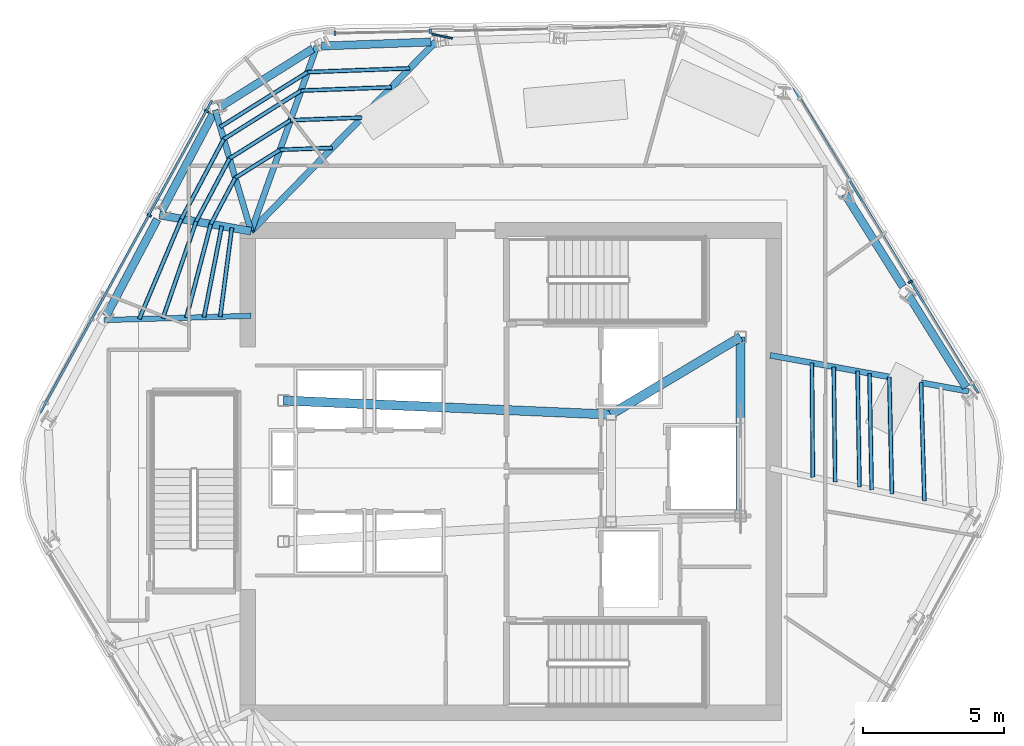
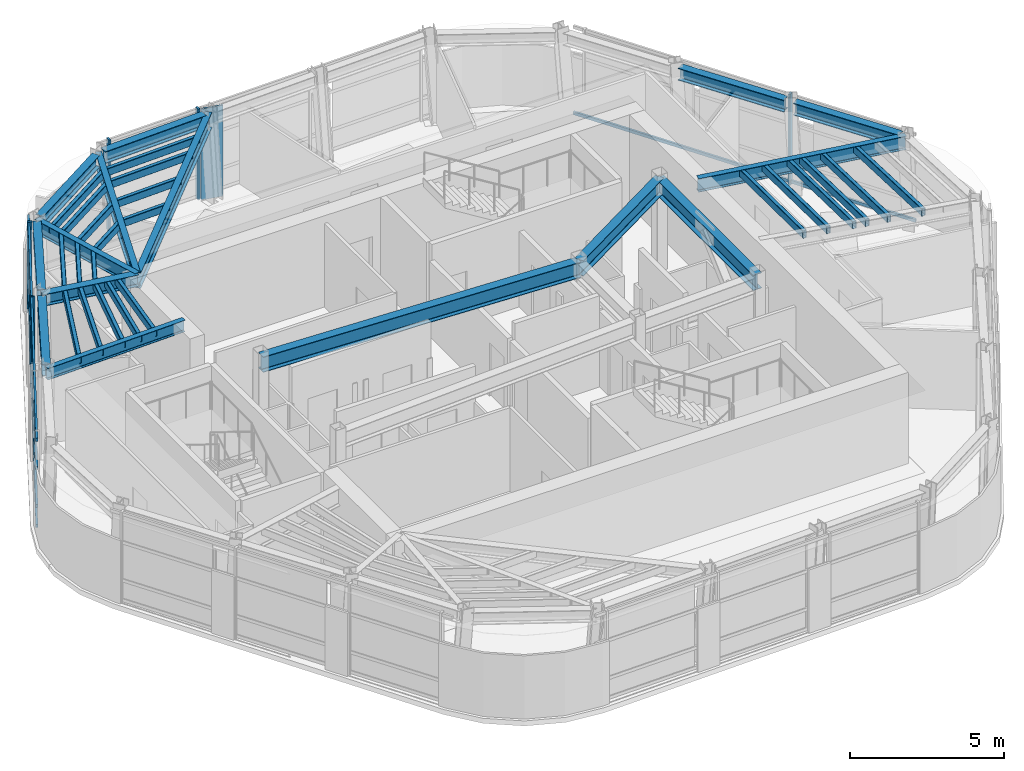
# One storey, part 4 of 13: 33 members, 15 beams, 3 elements without a shape of their own.
"""IFC4 building model written with IfcOpenShell, lengths in metres."""

from ifc_helpers import new_model, si_unit, direction, frame, origin, origin_2d, place, context, subcontext, project, spatial, rectangle, hollow_rectangle, i_section, extrude, material, layer, layer_set, material_profile, profile_set, type_object, element, aggregate, save


model = new_model("IFC4")

# Units and contexts
model_context = context("Model", 3, precision=1e-05, world=origin(), true_north=direction((0.0, 1.0)))
body_context = subcontext(model_context, "Body", "Model", "MODEL_VIEW")
ifc_project = project(units=[si_unit("LENGTHUNIT", "METRE"), si_unit("AREAUNIT", "SQUARE_METRE"), si_unit("VOLUMEUNIT", "CUBIC_METRE"), si_unit("PLANEANGLEUNIT", "RADIAN"), si_unit("MASSUNIT", "GRAM", prefix="KILO")], contexts=[model_context])

# Site, building, storey
site_placement = place(None, origin())
site = spatial("IfcSite", under=ifc_project, at=site_placement, CompositionType="ELEMENT")
building_placement = place(site_placement, origin())
building = spatial("IfcBuilding", under=site, at=building_placement, Name="Valkerne Bourse Tower", CompositionType="ELEMENT")
storey_placement = place(building_placement, frame((0.0, 0.0, 288.800048828125)))
storey = spatial("IfcBuildingStorey", under=building, at=storey_placement, Name="L73", CompositionType="ELEMENT", Elevation=288.800048828125)

# Beams
ifc_material_1 = material(Name="Steel ASTM A992", Category="steel")
ifc_material_profile_1 = material_profile(ifc_material_1, i_section(OverallWidth=0.284423828125, OverallDepth=0.47509765625, WebThickness=0.014892578125, FlangeThickness=0.02392578125, FilletRadius=0.017822265625, at=origin_2d()), Name="W18X106")
ifc_profile_set_1 = profile_set([ifc_material_profile_1], Name="Steel ASTM A992")
beam_type_1 = type_object("IfcBeamType", Name="BM-W18X106", PredefinedType="BEAM", material=ifc_profile_set_1)
beam_1_placement = place(storey_placement, frame((43.968505859375, 42.105224609375, 3.362548828125), z_axis=(-0.999326444653, -0.036696825717, 0.0), x_axis=(0.036696825717, -0.999326444653, 0.0)))
element("IfcBeam", 1, at=beam_1_placement, inside=storey, type_object=beam_type_1, Name="L73 Hexagonal Spandrel Ring Beam 02", PredefinedType="BEAM", context=body_context, shape_type="SweptSolid", body=[
    extrude(i_section(OverallWidth=0.284423828125, OverallDepth=0.47509765625, WebThickness=0.014892578125, FlangeThickness=0.02392578125, FilletRadius=0.017822265625, at=origin_2d()), origin(), (0.0, 0.0, 1.0), 3.8720703125),
])
beam_2_placement = place(storey_placement, frame((39.785400390625, 41.86669921875, 3.362548828125), z_axis=(-0.847124981548, -0.531393701165, 0.0), x_axis=(0.531393701165, -0.847124981548, 0.0)))
element("IfcBeam", 2, at=beam_2_placement, inside=storey, type_object=beam_type_1, Name="L73 Hexagonal Spandrel Ring Beam 03", PredefinedType="BEAM", context=body_context, shape_type="SweptSolid", body=[
    extrude(i_section(OverallWidth=0.284423828125, OverallDepth=0.47509765625, WebThickness=0.014892578125, FlangeThickness=0.02392578125, FilletRadius=0.017822265625, at=origin_2d()), origin(), (0.0, 0.0, 1.0), 3.915771484375),
])
for number, where, z_axis, x_axis, name in (
    (3, (36.24462890625, 39.54541015625, 3.362548828125), (-0.467899308077, -0.883781781608, 0.0), (0.883781781608, -0.467899308077, 0.0), "L73 Hexagonal Spandrel Ring Beam 04"),
    (4, (34.273681640625, 35.822998046875, 3.362548828125), (-0.467899308077, -0.883781781608, 0.0), (0.883781781608, -0.467899308077, 0.0), "L73 Hexagonal Spandrel Ring Beam 05"),
):
    element("IfcBeam", number, at=place(storey_placement, frame(where, z_axis=z_axis, x_axis=x_axis)), inside=storey, type_object=beam_type_1, Name=name, PredefinedType="BEAM", context=body_context, shape_type="SweptSolid", body=[
        extrude(i_section(OverallWidth=0.284423828125, OverallDepth=0.47509765625, WebThickness=0.014892578125, FlangeThickness=0.02392578125, FilletRadius=0.017822265625, at=origin_2d()), origin(), (0.0, 0.0, 1.0), 3.8720703125),
    ])
beam_3_placement = place(storey_placement, frame((62.9423828125, 29.868408203125, 3.362548828125), z_axis=(-0.531426317684, 0.847104520631, 0.0), x_axis=(-0.847104520631, -0.531426317684, 0.0)))
element("IfcBeam", 5, at=beam_3_placement, inside=storey, type_object=beam_type_1, Name="L73 Hexagonal Spandrel Ring Beam 20", PredefinedType="BEAM", context=body_context, shape_type="SweptSolid", body=[
    extrude(i_section(OverallWidth=0.284423828125, OverallDepth=0.47509765625, WebThickness=0.014892578125, FlangeThickness=0.02392578125, FilletRadius=0.017822265625, at=origin_2d()), origin(), (0.0, 0.0, 1.0), 3.872314453125),
])
beam_4_placement = place(storey_placement, frame((60.7041015625, 33.4365234375, 3.362548828125), z_axis=(-0.531409456461, 0.847115098191, 0.0), x_axis=(-0.847115098191, -0.531409456461, 0.0)))
element("IfcBeam", 6, at=beam_4_placement, inside=storey, type_object=beam_type_1, Name="L73 Hexagonal Spandrel Ring Beam 21", PredefinedType="BEAM", context=body_context, shape_type="SweptSolid", body=[
    extrude(i_section(OverallWidth=0.284423828125, OverallDepth=0.47509765625, WebThickness=0.014892578125, FlangeThickness=0.02392578125, FilletRadius=0.017822265625, at=origin_2d()), origin(), (0.0, 0.0, 1.0), 3.8720703125),
])
ifc_material_profile_2 = material_profile(ifc_material_1, i_section(OverallWidth=0.1904296875, OverallDepth=0.457275390625, WebThickness=0.009033203125, FlangeThickness=0.014404296875, FilletRadius=0.01513671875, at=origin_2d()), Name="W18X50")
ifc_profile_set_2 = profile_set([ifc_material_profile_2], Name="Steel ASTM A992")
beam_type_2 = type_object("IfcBeamType", Name="BM-W18X50", PredefinedType="JOIST", material=ifc_profile_set_2)
beam_5_placement = place(storey_placement, frame((32.38232421875, 32.250732421875, 3.371337890625), z_axis=(0.999591590369, 0.028577131841, 0.0), x_axis=(-0.028577131841, 0.999591590369, 0.0)))
element("IfcBeam", 7, at=beam_5_placement, inside=storey, type_object=beam_type_2, Name="L73 Radial Composite Floor Beam 06", PredefinedType="JOIST", context=body_context, shape_type="SweptSolid", body=[
    extrude(i_section(OverallWidth=0.1904296875, OverallDepth=0.457275390625, WebThickness=0.009033203125, FlangeThickness=0.014404296875, FilletRadius=0.01513671875, at=origin_2d()), origin(), (0.0, 0.0, 1.0), 5.219970703125),
])
ifc_material_profile_3 = material_profile(ifc_material_1, i_section(OverallWidth=0.279296875, OverallDepth=0.46240234375, WebThickness=0.0107421875, FlangeThickness=0.017333984375, FilletRadius=0.017822265625, at=origin_2d()), Name="W18X76")
ifc_profile_set_3 = profile_set([ifc_material_profile_3], Name="Steel ASTM A992")
beam_type_3 = type_object("IfcBeamType", Name="BM-W18X76", PredefinedType="BEAM", material=ifc_profile_set_3)
beam_6_placement = place(storey_placement, frame((34.353271484375, 35.97314453125, 3.36865234375), z_axis=(0.984769391931, -0.173865593823, 0.0), x_axis=(0.173865593823, 0.984769391931, 0.0)))
element("IfcBeam", 8, at=beam_6_placement, inside=storey, type_object=beam_type_3, Name="L73 Radial Composite Floor Beam 05", PredefinedType="BEAM", context=body_context, shape_type="SweptSolid", body=[
    extrude(i_section(OverallWidth=0.279296875, OverallDepth=0.46240234375, WebThickness=0.0107421875, FlangeThickness=0.017333984375, FilletRadius=0.017822265625, at=origin_2d()), origin(), (0.0, 0.0, 1.0), 3.297119140625),
])
ifc_material_profile_4 = material_profile(ifc_material_1, i_section(OverallWidth=0.209228515625, OverallDepth=0.533447265625, WebThickness=0.01025390625, FlangeThickness=0.015625, FilletRadius=0.017822265625, at=origin_2d()), Name="W21X62")
ifc_profile_set_4 = profile_set([ifc_material_profile_4], Name="Steel ASTM A992")
beam_type_4 = type_object("IfcBeamType", Name="BM-W21X62", PredefinedType="JOIST", material=ifc_profile_set_4)
beam_7_placement = place(storey_placement, frame((36.32421875, 39.695556640625, 3.333251953125), z_axis=(0.284722676503, -0.958609929786, 0.0), x_axis=(0.958609929786, 0.284722676503, 0.0)))
element("IfcBeam", 9, at=beam_7_placement, inside=storey, type_object=beam_type_4, Name="L73 Radial Composite Floor Beam 04", PredefinedType="JOIST", context=body_context, shape_type="SweptSolid", body=[
    extrude(i_section(OverallWidth=0.209228515625, OverallDepth=0.533447265625, WebThickness=0.01025390625, FlangeThickness=0.015625, FilletRadius=0.017822265625, at=origin_2d()), origin(), (0.0, 0.0, 1.0), 4.481201171875),
])
beam_8_placement = place(storey_placement, frame((63.03271484375, 29.724609375, 3.333251953125), z_axis=(-0.983950695284, 0.178440548225, 0.0), x_axis=(-0.178440548225, -0.983950695284, 0.0)))
element("IfcBeam", 10, at=beam_8_placement, inside=storey, type_object=beam_type_4, Name="L73 Radial Composite Floor Beam 20", PredefinedType="JOIST", context=body_context, shape_type="SweptSolid", body=[
    extrude(i_section(OverallWidth=0.209228515625, OverallDepth=0.533447265625, WebThickness=0.01025390625, FlangeThickness=0.015625, FilletRadius=0.017822265625, at=origin_2d()), origin(), (0.0, 0.0, 1.0), 7.1474609375),
])
ifc_material_profile_5 = material_profile(ifc_material_1, i_section(OverallWidth=0.2138671875, OverallDepth=0.548583984375, WebThickness=0.0146484375, FlangeThickness=0.023681640625, FilletRadius=0.017822265625, at=origin_2d()), Name="W21X93")
ifc_profile_set_5 = profile_set([ifc_material_profile_5], Name="Steel ASTM A992")
beam_type_5 = type_object("IfcBeamType", Name="BM-W21X93", PredefinedType="BEAM", material=ifc_profile_set_5)
beam_9_placement = place(storey_placement, frame((39.92919921875, 41.95703125, 3.32568359375), z_axis=(-0.334713402892, -0.942319976401, 0.0), x_axis=(0.942319976401, -0.334713402892, 0.0)))
element("IfcBeam", 11, at=beam_9_placement, inside=storey, type_object=beam_type_5, Name="L73 Radial Composite Floor Beam 03", PredefinedType="BEAM", context=body_context, shape_type="SweptSolid", body=[
    extrude(i_section(OverallWidth=0.2138671875, OverallDepth=0.548583984375, WebThickness=0.0146484375, FlangeThickness=0.023681640625, FilletRadius=0.017822265625, at=origin_2d()), origin(), (0.0, 0.0, 1.0), 6.95849609375),
])
ifc_material_profile_6 = material_profile(ifc_material_1, i_section(OverallWidth=0.3251953125, OverallDepth=0.612060546875, WebThickness=0.0126953125, FlangeThickness=0.01904296875, FilletRadius=0.020263671875, at=origin_2d()), Name="W24X104")
ifc_profile_set_6 = profile_set([ifc_material_profile_6], Name="Steel ASTM A992")
beam_type_6 = type_object("IfcBeamType", Name="BM-W24X104", PredefinedType="BEAM", material=ifc_profile_set_6)
beam_10_placement = place(storey_placement, frame((50.35009765625, 28.89990234375, 3.2939453125), z_axis=(0.858307823492, 0.513135148019, 0.0), x_axis=(-0.513135148019, 0.858307823492, 0.0)))
element("IfcBeam", 12, at=beam_10_placement, inside=storey, type_object=beam_type_6, Name="L73 Core Frame Girder CG-NE", PredefinedType="BEAM", context=body_context, shape_type="SweptSolid", body=[
    extrude(i_section(OverallWidth=0.3251953125, OverallDepth=0.612060546875, WebThickness=0.0126953125, FlangeThickness=0.01904296875, FilletRadius=0.020263671875, at=origin_2d()), origin(), (0.0, 0.0, 1.0), 5.359130859375),
])
beam_11_placement = place(storey_placement, frame((54.949951171875, 25.300048828125, 3.2939453125), z_axis=(0.0, 1.0, 0.0), x_axis=(-1.0, 0.0, 0.0)))
element("IfcBeam", 13, at=beam_11_placement, inside=storey, type_object=beam_type_6, Name="L73 Core Frame Girder CG-EE", PredefinedType="BEAM", context=body_context, shape_type="SweptSolid", body=[
    extrude(i_section(OverallWidth=0.3251953125, OverallDepth=0.612060546875, WebThickness=0.0126953125, FlangeThickness=0.01904296875, FilletRadius=0.020263671875, at=origin_2d()), origin(), (0.0, 0.0, 1.0), 6.349853515625),
])
beam_12_placement = place(storey_placement, frame((38.75, 29.39990234375, 3.2939453125), z_axis=(0.999072354402, -0.043063101019, 0.0), x_axis=(0.043063101019, 0.999072354402, 0.0)))
element("IfcBeam", 14, at=beam_12_placement, inside=storey, type_object=beam_type_6, Name="L73 Core Frame Girder CG-NW", PredefinedType="BEAM", context=body_context, shape_type="SweptSolid", body=[
    extrude(i_section(OverallWidth=0.3251953125, OverallDepth=0.612060546875, WebThickness=0.0126953125, FlangeThickness=0.01904296875, FilletRadius=0.020263671875, at=origin_2d()), origin(), (0.0, 0.0, 1.0), 11.61083984375),
])
ifc_material_profile_7 = material_profile(ifc_material_1, i_section(OverallWidth=0.228271484375, OverallDepth=0.607177734375, WebThickness=0.01123046875, FlangeThickness=0.017333984375, FilletRadius=0.017822265625, at=origin_2d()), Name="W24X76")
ifc_profile_set_7 = profile_set([ifc_material_profile_7], Name="Steel ASTM A992")
beam_type_7 = type_object("IfcBeamType", Name="BM-W24X76", PredefinedType="JOIST", material=ifc_profile_set_7)
beam_13_placement = place(storey_placement, frame((44.138427734375, 42.111328125, 3.29638671875), z_axis=(-0.697809545576, -0.71628335043, 0.0), x_axis=(0.71628335043, -0.697809545576, 0.0)))
element("IfcBeam", 15, at=beam_13_placement, inside=storey, type_object=beam_type_7, Name="L73 Radial Composite Floor Beam 02", PredefinedType="JOIST", context=body_context, shape_type="SweptSolid", body=[
    extrude(i_section(OverallWidth=0.228271484375, OverallDepth=0.607177734375, WebThickness=0.01123046875, FlangeThickness=0.017333984375, FilletRadius=0.017822265625, at=origin_2d()), origin(), (0.0, 0.0, 1.0), 9.369873046875),
])

# Curtain wall, members
ifc_material_2 = material(Name="Aluminium AA 6063-T6", Category="aluminium")
ifc_layer = layer(ifc_material_2, 0.2451171875)
ifc_layer_set = layer_set([ifc_layer], Name="Aluminium AA 6063-T6")
curtain_wall_type = type_object("IfcCurtainWallType", Name="CW-05", PredefinedType="NOTDEFINED", material=ifc_layer_set)
curtain_wall_1_placement = place(storey_placement, origin())
curtain_wall_1 = element("IfcCurtainWall", 16, at=curtain_wall_1_placement, inside=storey, type_object=curtain_wall_type, Name="L73 Hexagonal Stick Curtain Wall Face 1", PredefinedType="NOTDEFINED")
ifc_material_profile_8 = material_profile(ifc_material_2, rectangle(XDim=0.074951171875, YDim=0.159912109375, at=origin_2d()), Name="CWM-75X160")
ifc_profile_set_8 = profile_set([ifc_material_profile_8], Name="Aluminium AA 6063-T6")
member_type_1 = type_object("IfcMemberType", Name="CW-MUL-160X75", PredefinedType="MULLION", material=ifc_profile_set_8)
member_1_placement = place(storey_placement, frame((43.94921875, 42.482421875, 0.0), z_axis=(0.0, 0.0, 1.0), x_axis=(-0.999780733034, -0.020940053823, 0.0)))
member_1 = element("IfcMember", 17, at=member_1_placement, type_object=member_type_1, Name="CW-L73-F1 Jamb Mullion 02A", PredefinedType="MULLION", context=body_context, shape_type="SweptSolid", body=[
    extrude(rectangle(XDim=0.074951171875, YDim=0.159912109375, at=origin_2d()), origin(), (0.0, 0.0, 1.0), 3.599853515625),
])
member_2_placement = place(storey_placement, frame((40.577880859375, 42.411865234375, 0.0), z_axis=(0.0, 0.0, 1.0), x_axis=(-0.999780733034, -0.020940053823, 0.0)))
member_2 = element("IfcMember", 18, at=member_2_placement, type_object=member_type_1, Name="CW-L73-F1 Jamb Mullion 02B", PredefinedType="MULLION", context=body_context, shape_type="SweptSolid", body=[
    extrude(rectangle(XDim=0.074951171875, YDim=0.159912109375, at=origin_2d()), origin(), (0.0, 0.0, 1.0), 3.599853515625),
])
aggregate(curtain_wall_1, [member_1, member_2])

curtain_wall_2_placement = place(storey_placement, origin())
curtain_wall_2 = element("IfcCurtainWall", 19, at=curtain_wall_2_placement, inside=storey, type_object=curtain_wall_type, Name="L73 Hexagonal Stick Curtain Wall Face 2", PredefinedType="NOTDEFINED")
member_3_placement = place(storey_placement, frame((36.024658203125, 39.654296875, 0.0), z_axis=(0.0, 0.0, 1.0), x_axis=(-0.481763806894, -0.876301109418, 0.0)))
member_3 = element("IfcMember", 20, at=member_3_placement, type_object=member_type_1, Name="CW-L73-F2 Jamb Mullion 00A", PredefinedType="MULLION", context=body_context, shape_type="SweptSolid", body=[
    extrude(rectangle(XDim=0.074951171875, YDim=0.159912109375, at=origin_2d()), origin(), (0.0, 0.0, 1.0), 3.599853515625),
])
member_4_placement = place(storey_placement, frame((33.99560546875, 35.96337890625, 0.0), z_axis=(0.0, 0.0, 1.0), x_axis=(-0.481735552691, -0.87631664213, 0.0)))
member_4 = element("IfcMember", 21, at=member_4_placement, type_object=member_type_1, Name="CW-L73-F2 Jamb Mullion 01A", PredefinedType="MULLION", context=body_context, shape_type="SweptSolid", body=[
    extrude(rectangle(XDim=0.074951171875, YDim=0.159912109375, at=origin_2d()), origin(), (0.0, 0.0, 1.0), 3.599853515625),
])

# Curtain wall, member
curtain_wall_3_placement = place(storey_placement, origin())
curtain_wall_3 = element("IfcCurtainWall", 22, at=curtain_wall_3_placement, inside=storey, type_object=curtain_wall_type, Name="L73 Hexagonal Stick Curtain Wall Face 6", PredefinedType="NOTDEFINED")
member_5_placement = place(storey_placement, frame((60.964599609375, 33.607421875, 0.0), z_axis=(0.0, 0.0, 1.0), x_axis=(-0.51802123581, 0.855367756728, 0.0)))
member_5 = element("IfcMember", 23, at=member_5_placement, type_object=member_type_1, Name="CW-L73-F6 Jamb Mullion 01A", PredefinedType="MULLION", context=body_context, shape_type="SweptSolid", body=[
    extrude(rectangle(XDim=0.074951171875, YDim=0.159912109375, at=origin_2d()), origin(), (0.0, 0.0, 1.0), 3.599853515625),
])

# Member
ifc_material_profile_9 = material_profile(ifc_material_2, rectangle(XDim=0.074951171875, YDim=0.1201171875, at=origin_2d()), Name="CWT-75X120")
ifc_profile_set_9 = profile_set([ifc_material_profile_9], Name="Aluminium AA 6063-T6")
member_type_2 = type_object("IfcMemberType", Name="CW-TRN-120X75", PredefinedType="USERDEFINED", material=ifc_profile_set_9)
member_6_placement = place(storey_placement, frame((36.20947265625, 40.031982421875, 0.119873046875), z_axis=(-0.481751860284, -0.876307677196, 0.0), x_axis=(0.876307677196, -0.481751860284, 0.0)))
member_6 = element("IfcMember", 24, at=member_6_placement, type_object=member_type_2, Name="CW-L73-F2 Continuous Face Transom 1", ObjectType="TRANSOM", PredefinedType="USERDEFINED", context=body_context, shape_type="SweptSolid", body=[
    extrude(rectangle(XDim=0.074951171875, YDim=0.1201171875, at=origin_2d()), origin(), (0.0, 0.0, 1.0), 12.635986328125),
])

member_7_placement = place(storey_placement, frame((36.20947265625, 40.031982421875, 0.89990234375), z_axis=(-0.481751860284, -0.876307677196, 0.0), x_axis=(0.876307677196, -0.481751860284, 0.0)))
member_7 = element("IfcMember", 25, at=member_7_placement, type_object=member_type_2, Name="CW-L73-F2 Continuous Face Transom 2", ObjectType="TRANSOM", PredefinedType="USERDEFINED", context=body_context, shape_type="SweptSolid", body=[
    extrude(rectangle(XDim=0.074951171875, YDim=0.1201171875, at=origin_2d()), origin(), (0.0, 0.0, 1.0), 12.635986328125),
])

member_8_placement = place(storey_placement, frame((36.20947265625, 40.031982421875, 2.39990234375), z_axis=(-0.481751860284, -0.876307677196, 0.0), x_axis=(0.876307677196, -0.481751860284, 0.0)))
member_8 = element("IfcMember", 26, at=member_8_placement, type_object=member_type_2, Name="CW-L73-F2 Continuous Face Transom 3", ObjectType="TRANSOM", PredefinedType="USERDEFINED", context=body_context, shape_type="SweptSolid", body=[
    extrude(rectangle(XDim=0.074951171875, YDim=0.1201171875, at=origin_2d()), origin(), (0.0, 0.0, 1.0), 12.635986328125),
])

member_9_placement = place(storey_placement, frame((36.20947265625, 40.031982421875, 3.52001953125), z_axis=(-0.481751860284, -0.876307677196, 0.0), x_axis=(0.876307677196, -0.481751860284, 0.0)))
member_9 = element("IfcMember", 27, at=member_9_placement, type_object=member_type_2, Name="CW-L73-F2 Continuous Face Transom 4", ObjectType="TRANSOM", PredefinedType="USERDEFINED", context=body_context, shape_type="SweptSolid", body=[
    extrude(rectangle(XDim=0.074951171875, YDim=0.1201171875, at=origin_2d()), origin(), (0.0, 0.0, 1.0), 12.635986328125),
])

aggregate(curtain_wall_2, [member_6, member_7, member_8, member_9, member_3, member_4])

member_10_placement = place(storey_placement, frame((63.38134765625, 29.65576171875, 0.119873046875), z_axis=(-0.518034492736, 0.85535972803, 0.0), x_axis=(-0.85535972803, -0.518034492736, 0.0)))
member_10 = element("IfcMember", 28, at=member_10_placement, type_object=member_type_2, Name="CW-L73-F6 Continuous Face Transom 1", ObjectType="TRANSOM", PredefinedType="USERDEFINED", context=body_context, shape_type="SweptSolid", body=[
    extrude(rectangle(XDim=0.074951171875, YDim=0.1201171875, at=origin_2d()), origin(), (0.0, 0.0, 1.0), 12.635986328125),
])

aggregate(curtain_wall_3, [member_10, member_5])

# Members
ifc_material_3 = material(Name="Bronze Anodised Aluminium AA 6063-T6", Category="aluminium")
ifc_material_profile_10 = material_profile(ifc_material_3, rectangle(XDim=0.06494140625, YDim=0.75, at=origin_2d()), Name="FIN-65X750")
ifc_profile_set_10 = profile_set([ifc_material_profile_10], Name="Bronze Anodised Aluminium AA 6063-T6")
member_type_3 = type_object("IfcMemberType", Name="FIN-SOLAR-650", PredefinedType="USERDEFINED", material=ifc_profile_set_10)
member_11_placement = place(storey_placement, frame((44.372802734375, 42.311279296875, 0.00390625), z_axis=(0.0, 0.0, 1.0), x_axis=(0.206142084159, 0.978522069827, 0.0)))
element("IfcMember", 29, at=member_11_placement, inside=storey, type_object=member_type_3, Name="L73 Bronze Anodised Solar Fin F1-02", ObjectType="SOLAR_FIN", PredefinedType="USERDEFINED", context=body_context, shape_type="SweptSolid", body=[
    extrude(rectangle(XDim=0.06494140625, YDim=0.75, at=origin_2d()), origin(), (0.0, 0.0, 1.0), 3.592041015625),
])
ifc_material_4 = material(Name="Steel ASTM A500 Grade C", Category="steel")
ifc_material_profile_11 = material_profile(ifc_material_4, hollow_rectangle(XDim=0.14990234375, YDim=0.300048828125, WallThickness=0.012451171875, OuterFilletRadius=0.02490234375, at=origin_2d()), Name="HSS300X150X12.5")
ifc_profile_set_11 = profile_set([ifc_material_profile_11], Name="Steel ASTM A500 Grade C")
member_type_4 = type_object("IfcMemberType", Name="MBR-HSS300X150X12.5", PredefinedType="PURLIN", material=ifc_profile_set_11)
member_12_placement = place(storey_placement, frame((36.56103515625, 35.58349609375, 3.43994140625), z_axis=(-0.191550434395, -0.981482771669, 0.0), x_axis=(0.981482771669, -0.191550434395, 0.0)))
element("IfcMember", 30, at=member_12_placement, inside=storey, type_object=member_type_4, Name="L73 Secondary Composite Floor Purlin I-05", PredefinedType="PURLIN", context=body_context, shape_type="SweptSolid", body=[
    extrude(hollow_rectangle(XDim=0.14990234375, YDim=0.300048828125, WallThickness=0.012451171875, OuterFilletRadius=0.02490234375, at=origin_2d()), origin(), (0.0, 0.0, 1.0), 3.292236328125),
])
member_13_placement = place(storey_placement, frame((58.30029296875, 26.510986328125, 3.43994140625), z_axis=(-0.012203697789, 0.999925532107, 0.0), x_axis=(-0.999925532107, -0.012203697789, 0.0)))
element("IfcMember", 31, at=member_13_placement, inside=storey, type_object=member_type_4, Name="L73 Secondary Composite Floor Purlin I-19", PredefinedType="PURLIN", context=body_context, shape_type="SweptSolid", body=[
    extrude(hollow_rectangle(XDim=0.14990234375, YDim=0.300048828125, WallThickness=0.012451171875, OuterFilletRadius=0.02490234375, at=origin_2d()), origin(), (0.0, 0.0, 1.0), 4.0810546875),
])
member_14_placement = place(storey_placement, frame((40.476806640625, 38.35302734375, 3.43994140625), z_axis=(-0.999329017569, -0.036626693063, 0.0), x_axis=(0.036626693063, -0.999329017569, 0.0)))
element("IfcMember", 32, at=member_14_placement, inside=storey, type_object=member_type_4, Name="L73 Secondary Composite Floor Purlin K-02", PredefinedType="PURLIN", context=body_context, shape_type="SweptSolid", body=[
    extrude(hollow_rectangle(XDim=0.14990234375, YDim=0.300048828125, WallThickness=0.012451171875, OuterFilletRadius=0.02490234375, at=origin_2d()), origin(), (0.0, 0.0, 1.0), 1.85302734375),
])
member_15_placement = place(storey_placement, frame((38.625, 38.28515625, 3.43994140625), z_axis=(-0.847096119947, -0.531439708312, 0.0), x_axis=(0.531439708312, -0.847096119947, 0.0)))
element("IfcMember", 33, at=member_15_placement, inside=storey, type_object=member_type_4, Name="L73 Secondary Composite Floor Purlin K-03", PredefinedType="PURLIN", context=body_context, shape_type="SweptSolid", body=[
    extrude(hollow_rectangle(XDim=0.14990234375, YDim=0.300048828125, WallThickness=0.012451171875, OuterFilletRadius=0.02490234375, at=origin_2d()), origin(), (0.0, 0.0, 1.0), 1.87255859375),
])
member_16_placement = place(storey_placement, frame((37.038818359375, 37.2900390625, 3.43994140625), z_axis=(-0.468008757996, -0.883723827018, 0.0), x_axis=(0.883723827018, -0.468008757996, 0.0)))
element("IfcMember", 34, at=member_16_placement, inside=storey, type_object=member_type_4, Name="L73 Secondary Composite Floor Purlin K-04", PredefinedType="PURLIN", context=body_context, shape_type="SweptSolid", body=[
    extrude(hollow_rectangle(XDim=0.14990234375, YDim=0.300048828125, WallThickness=0.012451171875, OuterFilletRadius=0.02490234375, at=origin_2d()), origin(), (0.0, 0.0, 1.0), 1.853515625),
])
member_17_placement = place(storey_placement, frame((36.17138671875, 35.652099609375, 3.43994140625), z_axis=(-0.252873970271, -0.967499227472, 0.0), x_axis=(0.967499227472, -0.252873970271, 0.0)))
element("IfcMember", 35, at=member_17_placement, inside=storey, type_object=member_type_4, Name="L73 Secondary Composite Floor Purlin K-05", PredefinedType="PURLIN", context=body_context, shape_type="SweptSolid", body=[
    extrude(hollow_rectangle(XDim=0.14990234375, YDim=0.300048828125, WallThickness=0.012451171875, OuterFilletRadius=0.02490234375, at=origin_2d()), origin(), (0.0, 0.0, 1.0), 3.429443359375),
])
member_18_placement = place(storey_placement, frame((59.162841796875, 26.327392578125, 3.43994140625), z_axis=(-0.01668413822, 0.999860810079, 0.0), x_axis=(-0.999860810079, -0.01668413822, 0.0)))
element("IfcMember", 36, at=member_18_placement, inside=storey, type_object=member_type_4, Name="L73 Secondary Composite Floor Purlin K-19", PredefinedType="PURLIN", context=body_context, shape_type="SweptSolid", body=[
    extrude(hollow_rectangle(XDim=0.14990234375, YDim=0.300048828125, WallThickness=0.012451171875, OuterFilletRadius=0.02490234375, at=origin_2d()), origin(), (0.0, 0.0, 1.0), 4.11181640625),
])
member_19_placement = place(storey_placement, frame((59.59423828125, 26.23583984375, 3.43994140625), z_axis=(-0.018870145533, 0.999821942952, 0.0), x_axis=(-0.999821942952, -0.018870145533, 0.0)))
element("IfcMember", 37, at=member_19_placement, inside=storey, type_object=member_type_4, Name="L73 Secondary Composite Floor Purlin M-19", PredefinedType="PURLIN", context=body_context, shape_type="SweptSolid", body=[
    extrude(hollow_rectangle(XDim=0.14990234375, YDim=0.300048828125, WallThickness=0.012451171875, OuterFilletRadius=0.02490234375, at=origin_2d()), origin(), (0.0, 0.0, 1.0), 4.127197265625),
])
member_20_placement = place(storey_placement, frame((42.5693359375, 40.500732421875, 3.43994140625), z_axis=(-0.999326899339, -0.036684441623, 0.0), x_axis=(0.036684441623, -0.999326899339, 0.0)))
element("IfcMember", 38, at=member_20_placement, inside=storey, type_object=member_type_4, Name="L73 Secondary Composite Floor Purlin O-02", PredefinedType="PURLIN", context=body_context, shape_type="SweptSolid", body=[
    extrude(hollow_rectangle(XDim=0.14990234375, YDim=0.300048828125, WallThickness=0.012451171875, OuterFilletRadius=0.02490234375, at=origin_2d()), origin(), (0.0, 0.0, 1.0), 3.201171875),
])
member_21_placement = place(storey_placement, frame((39.370361328125, 40.38330078125, 3.43994140625), z_axis=(-0.847140520321, -0.531368929116, 0.0), x_axis=(0.531368929116, -0.847140520321, 0.0)))
element("IfcMember", 39, at=member_21_placement, inside=storey, type_object=member_type_4, Name="L73 Secondary Composite Floor Purlin O-03", PredefinedType="PURLIN", context=body_context, shape_type="SweptSolid", body=[
    extrude(hollow_rectangle(XDim=0.14990234375, YDim=0.300048828125, WallThickness=0.012451171875, OuterFilletRadius=0.02490234375, at=origin_2d()), origin(), (0.0, 0.0, 1.0), 3.234130859375),
])
member_22_placement = place(storey_placement, frame((36.630615234375, 38.664794921875, 3.43994140625), z_axis=(-0.467957799664, -0.883750812013, 0.0), x_axis=(0.883750812013, -0.467957799664, 0.0)))
element("IfcMember", 40, at=member_22_placement, inside=storey, type_object=member_type_4, Name="L73 Secondary Composite Floor Purlin O-04", PredefinedType="PURLIN", context=body_context, shape_type="SweptSolid", body=[
    extrude(hollow_rectangle(XDim=0.14990234375, YDim=0.300048828125, WallThickness=0.012451171875, OuterFilletRadius=0.02490234375, at=origin_2d()), origin(), (0.0, 0.0, 1.0), 3.201171875),
])
member_23_placement = place(storey_placement, frame((35.132568359375, 35.835693359375, 3.43994140625), z_axis=(-0.388872827763, -0.921291443479, 0.0), x_axis=(0.921291443479, -0.388872827763, 0.0)))
element("IfcMember", 41, at=member_23_placement, inside=storey, type_object=member_type_4, Name="L73 Secondary Composite Floor Purlin O-05", PredefinedType="PURLIN", context=body_context, shape_type="SweptSolid", body=[
    extrude(hollow_rectangle(XDim=0.14990234375, YDim=0.300048828125, WallThickness=0.012451171875, OuterFilletRadius=0.02490234375, at=origin_2d()), origin(), (0.0, 0.0, 1.0), 3.852294921875),
])
member_24_placement = place(storey_placement, frame((61.46337890625, 25.83837890625, 3.43994140625), z_axis=(-0.028292204996, 0.999599695446, 0.0), x_axis=(-0.999599695446, -0.028292204996, 0.0)))
element("IfcMember", 42, at=member_24_placement, inside=storey, type_object=member_type_4, Name="L73 Secondary Composite Floor Purlin O-19", PredefinedType="PURLIN", context=body_context, shape_type="SweptSolid", body=[
    extrude(hollow_rectangle(XDim=0.14990234375, YDim=0.300048828125, WallThickness=0.012451171875, OuterFilletRadius=0.02490234375, at=origin_2d()), origin(), (0.0, 0.0, 1.0), 4.19384765625),
])
member_25_placement = place(storey_placement, frame((41.523193359375, 39.4267578125, 3.43994140625), z_axis=(-0.999329574507, -0.03661149432, 0.0), x_axis=(0.03661149432, -0.999329574507, 0.0)))
element("IfcMember", 43, at=member_25_placement, inside=storey, type_object=member_type_4, Name="L73 Secondary Composite Floor Purlin Z-02", PredefinedType="PURLIN", context=body_context, shape_type="SweptSolid", body=[
    extrude(hollow_rectangle(XDim=0.14990234375, YDim=0.300048828125, WallThickness=0.012451171875, OuterFilletRadius=0.02490234375, at=origin_2d()), origin(), (0.0, 0.0, 1.0), 2.52734375),
])
member_26_placement = place(storey_placement, frame((38.99755859375, 39.334228515625, 3.43994140625), z_axis=(-0.847089216111, -0.531450712625, 0.0), x_axis=(0.531450712625, -0.847089216111, 0.0)))
element("IfcMember", 44, at=member_26_placement, inside=storey, type_object=member_type_4, Name="L73 Secondary Composite Floor Purlin Z-03", PredefinedType="PURLIN", context=body_context, shape_type="SweptSolid", body=[
    extrude(hollow_rectangle(XDim=0.14990234375, YDim=0.300048828125, WallThickness=0.012451171875, OuterFilletRadius=0.02490234375, at=origin_2d()), origin(), (0.0, 0.0, 1.0), 2.55322265625),
])
member_27_placement = place(storey_placement, frame((36.834716796875, 37.977294921875, 3.43994140625), z_axis=(-0.467958737263, -0.883750315541, 0.0), x_axis=(0.883750315541, -0.467958737263, 0.0)))
element("IfcMember", 45, at=member_27_placement, inside=storey, type_object=member_type_4, Name="L73 Secondary Composite Floor Purlin Z-04", PredefinedType="PURLIN", context=body_context, shape_type="SweptSolid", body=[
    extrude(hollow_rectangle(XDim=0.14990234375, YDim=0.300048828125, WallThickness=0.012451171875, OuterFilletRadius=0.02490234375, at=origin_2d()), origin(), (0.0, 0.0, 1.0), 2.527099609375),
])
member_28_placement = place(storey_placement, frame((35.652099609375, 35.743896484375, 3.43994140625), z_axis=(-0.325650880282, -0.945490086765, 0.0), x_axis=(0.945490086765, -0.325650880282, 0.0)))
element("IfcMember", 46, at=member_28_placement, inside=storey, type_object=member_type_4, Name="L73 Secondary Composite Floor Purlin Z-05", PredefinedType="PURLIN", context=body_context, shape_type="SweptSolid", body=[
    extrude(hollow_rectangle(XDim=0.14990234375, YDim=0.300048828125, WallThickness=0.012451171875, OuterFilletRadius=0.02490234375, at=origin_2d()), origin(), (0.0, 0.0, 1.0), 3.631591796875),
])
member_29_placement = place(storey_placement, frame((60.31298828125, 26.0830078125, 3.43994140625), z_axis=(-0.022517076954, 0.999746458481, 0.0), x_axis=(-0.999746458481, -0.022517076954, 0.0)))
element("IfcMember", 47, at=member_29_placement, inside=storey, type_object=member_type_4, Name="L73 Secondary Composite Floor Purlin Z-19", PredefinedType="PURLIN", context=body_context, shape_type="SweptSolid", body=[
    extrude(hollow_rectangle(XDim=0.14990234375, YDim=0.300048828125, WallThickness=0.012451171875, OuterFilletRadius=0.02490234375, at=origin_2d()), origin(), (0.0, 0.0, 1.0), 4.152587890625),
])
member_30_placement = place(storey_placement, frame((36.918212890625, 35.5205078125, 3.43994140625), z_axis=(-0.130176374575, -0.99149085296, 0.0), x_axis=(0.99149085296, -0.130176374575, 0.0)))
element("IfcMember", 48, at=member_30_placement, inside=storey, type_object=member_type_4, Name="L73 Secondary Composite Floor Purlin S-05", PredefinedType="PURLIN", context=body_context, shape_type="SweptSolid", body=[
    extrude(hollow_rectangle(XDim=0.14990234375, YDim=0.300048828125, WallThickness=0.012451171875, OuterFilletRadius=0.02490234375, at=origin_2d()), origin(), (0.0, 0.0, 1.0), 3.178955078125),
])
member_31_placement = place(storey_placement, frame((57.509521484375, 26.67919921875, 3.43994140625), z_axis=(-0.008071539961, 0.999967424591, 0.0), x_axis=(-0.999967424591, -0.008071539961, 0.0)))
element("IfcMember", 49, at=member_31_placement, inside=storey, type_object=member_type_4, Name="L73 Secondary Composite Floor Purlin S-19", PredefinedType="PURLIN", context=body_context, shape_type="SweptSolid", body=[
    extrude(hollow_rectangle(XDim=0.14990234375, YDim=0.300048828125, WallThickness=0.012451171875, OuterFilletRadius=0.02490234375, at=origin_2d()), origin(), (0.0, 0.0, 1.0), 4.05322265625),
])
member_32_placement = place(storey_placement, frame((43.22314453125, 41.171875, 3.43994140625), z_axis=(-0.999327607235, -0.03666515265, 0.0), x_axis=(0.03666515265, -0.999327607235, 0.0)))
element("IfcMember", 50, at=member_32_placement, inside=storey, type_object=member_type_4, Name="L73 Secondary Composite Floor Purlin T-02", PredefinedType="PURLIN", context=body_context, shape_type="SweptSolid", body=[
    extrude(hollow_rectangle(XDim=0.14990234375, YDim=0.300048828125, WallThickness=0.012451171875, OuterFilletRadius=0.02490234375, at=origin_2d()), origin(), (0.0, 0.0, 1.0), 3.622314453125),
])
member_33_placement = place(storey_placement, frame((39.603271484375, 41.0390625, 3.43994140625), z_axis=(-0.847123953836, -0.531395339496, 0.0), x_axis=(0.531395339496, -0.847123953836, 0.0)))
element("IfcMember", 51, at=member_33_placement, inside=storey, type_object=member_type_4, Name="L73 Secondary Composite Floor Purlin T-03", PredefinedType="PURLIN", context=body_context, shape_type="SweptSolid", body=[
    extrude(hollow_rectangle(XDim=0.14990234375, YDim=0.300048828125, WallThickness=0.012451171875, OuterFilletRadius=0.02490234375, at=origin_2d()), origin(), (0.0, 0.0, 1.0), 3.659912109375),
])

save(model, "model.ifc")
